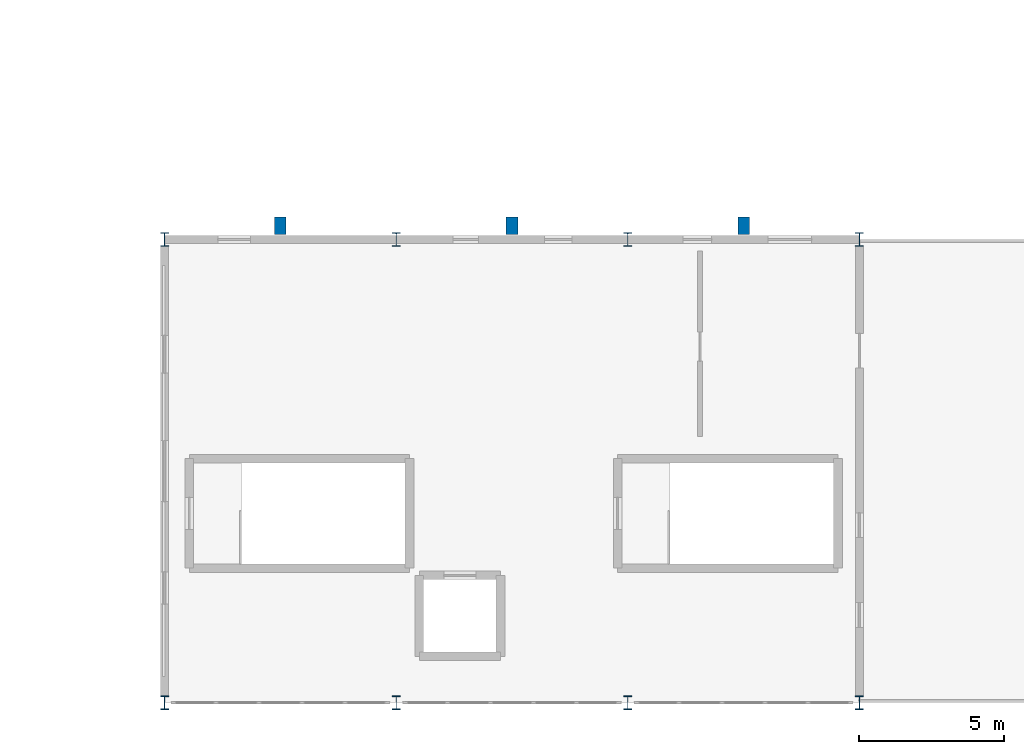
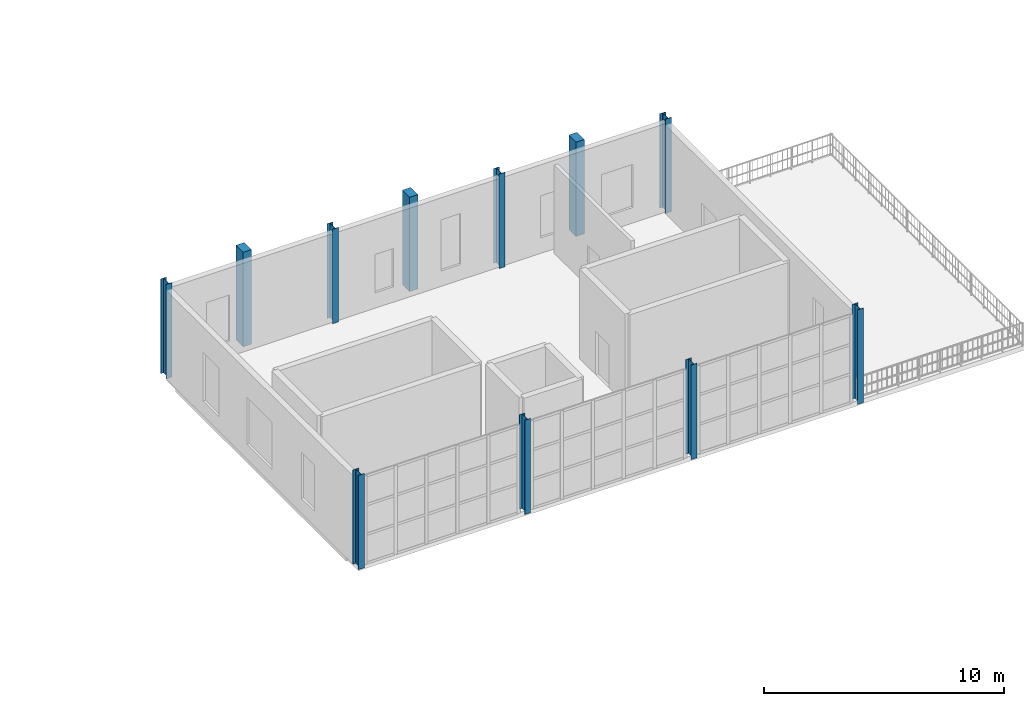
# One storey, part 3 of 61: 11 columns.
"""IFC4 building model written with IfcOpenShell, lengths in metres."""

from ifc_helpers import new_model, si_unit, direction, frame, origin, origin_2d, place, context, subcontext, project, spatial, rectangle, i_section, extrude, material, material_profile, profile_set, type_object, element, save


model = new_model("IFC4")

# Units and contexts
model_context = context("Model", 3, precision=1e-05, world=origin(), true_north=direction((0.0, 1.0)))
body_context = subcontext(model_context, "Body", "Model", "MODEL_VIEW")
ifc_project = project(units=[si_unit("LENGTHUNIT", "METRE"), si_unit("AREAUNIT", "SQUARE_METRE"), si_unit("VOLUMEUNIT", "CUBIC_METRE"), si_unit("PLANEANGLEUNIT", "RADIAN"), si_unit("MASSUNIT", "GRAM", prefix="KILO")], contexts=[model_context])

# Site, building, storey
site_placement = place(None, origin())
site = spatial("IfcSite", under=ifc_project, at=site_placement, CompositionType="ELEMENT")
building_placement = place(site_placement, origin())
building = spatial("IfcBuilding", under=site, at=building_placement, Name="Serraluz Foothill Cableway Terminal", CompositionType="ELEMENT")
storey_placement = place(building_placement, frame((0.0, 0.0, 15.0)))
storey = spatial("IfcBuildingStorey", under=building, at=storey_placement, Name="L03", CompositionType="ELEMENT", Elevation=15.0)

# Columns
ifc_material_1 = material(Name="Steel ASTM A992 Grade 50", Category="steel")
ifc_material_profile_1 = material_profile(ifc_material_1, i_section(OverallWidth=0.282958984375, OverallDepth=0.471923828125, WebThickness=0.013671875, FlangeThickness=0.022216796875, FilletRadius=0.014892578125, at=origin_2d()), Name="W18X97")
ifc_profile_set_1 = profile_set([ifc_material_profile_1], Name="Steel ASTM A992 Grade 50")
column_type_1 = type_object("IfcColumnType", Name="TYP-COL-W18X97", PredefinedType="COLUMN", material=ifc_profile_set_1)
for number, where, z_axis, x_axis, name in (
    (1, (96.0, 0.0, 0.0), (0.0, 0.0, 1.0), (1.0, 0.0, 0.0), "Column COL-V3-96-0-L03"),
    (2, (96.0, 16.0, 0.0), (0.0, 0.0, 1.0), (1.0, 0.0, 0.0), "Column COL-V3-96-16-L03"),
    (3, (104.0, 0.0, 0.0), (0.0, 0.0, 1.0), (1.0, 0.0, 0.0), "Column COL-V3-104-0-L03"),
    (4, (104.0, 16.0, 0.0), (0.0, 0.0, 1.0), (1.0, 0.0, 0.0), "Column COL-V3-104-16-L03"),
    (5, (112.0, 0.0, 0.0), (0.0, 0.0, 1.0), (1.0, 0.0, 0.0), "Column COL-V3-112-0-L03"),
    (6, (112.0, 16.0, 0.0), (0.0, 0.0, 1.0), (1.0, 0.0, 0.0), "Column COL-V3-112-16-L03"),
    (7, (120.0, 0.0, 0.0), (0.0, 0.0, 1.0), (1.0, 0.0, 0.0), "Column COL-V3-120-0-L03"),
    (8, (120.0, 16.0, 0.0), (0.0, 0.0, 1.0), (1.0, 0.0, 0.0), "Column COL-V3-120-16-L03"),
):
    element("IfcColumn", number, at=place(storey_placement, frame(where, z_axis=z_axis, x_axis=x_axis)), inside=storey, type_object=column_type_1, Name=name, PredefinedType="COLUMN", context=body_context, shape_type="SweptSolid", body=[
        extrude(i_section(OverallWidth=0.282958984375, OverallDepth=0.471923828125, WebThickness=0.013671875, FlangeThickness=0.022216796875, FilletRadius=0.014892578125, at=origin_2d()), origin(), (0.0, 0.0, 1.0), 4.800048828125),
    ])
ifc_material_2 = material(Name="Fired clay masonry brick (f'm 12 MPa)", Category="masonry")
ifc_material_profile_2 = material_profile(ifc_material_2, rectangle(XDim=0.39990234375, YDim=0.60009765625, at=origin_2d()), Name="PIL 400x600")
ifc_profile_set_2 = profile_set([ifc_material_profile_2], Name="Fired clay masonry brick (f'm 12 MPa)")
column_type_2 = type_object("IfcColumnType", Name="TYP-PIL-400X600", PredefinedType="PILASTER", material=ifc_profile_set_2)
for number, where, z_axis, x_axis, name in (
    (9, (100.0, 16.47998046875, 0.0), (0.0, 0.0, 1.0), (1.0, 0.0, 0.0), "Brick Pilaster Pier PL-18 L03"),
    (10, (108.0, 16.47998046875, 0.0), (0.0, 0.0, 1.0), (1.0, 0.0, 0.0), "Brick Pilaster Pier PL-19 L03"),
    (11, (116.0, 16.47998046875, 0.0), (0.0, 0.0, 1.0), (1.0, 0.0, 0.0), "Brick Pilaster Pier PL-20 L03"),
):
    element("IfcColumn", number, at=place(storey_placement, frame(where, z_axis=z_axis, x_axis=x_axis)), inside=storey, type_object=column_type_2, Name=name, PredefinedType="PILASTER", context=body_context, shape_type="SweptSolid", body=[
        extrude(rectangle(XDim=0.39990234375, YDim=0.60009765625, at=origin_2d()), origin(), (0.0, 0.0, 1.0), 4.800048828125),
    ])

save(model, "model.ifc")
